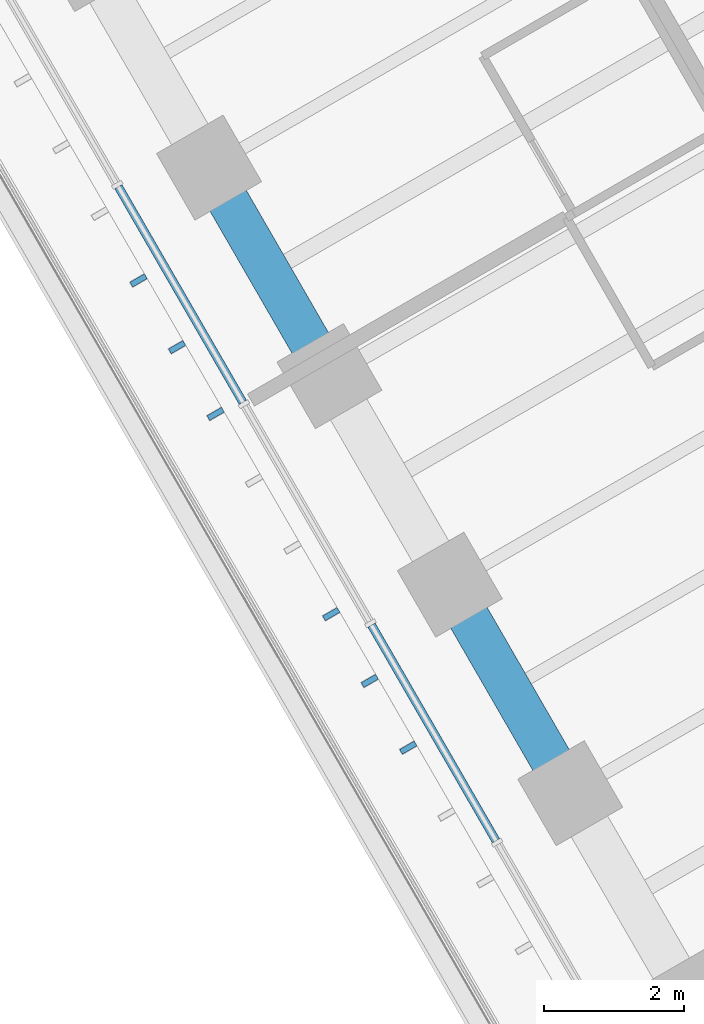
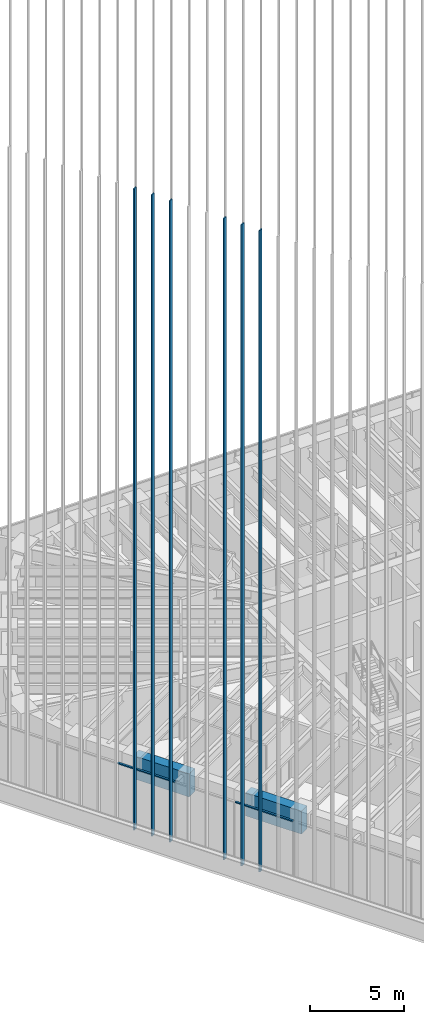
# One storey, part 21 of 127: 8 members, 2 beams, 1 element without a shape of its own.
"""IFC4 building model written with IfcOpenShell, lengths in metres."""

from ifc_helpers import new_model, si_unit, direction, frame, origin, origin_2d, place, context, subcontext, project, spatial, rectangle, extrude, material, material_profile, profile_set, type_object, element, aggregate, save


model = new_model("IFC4")

# Units and contexts
model_context = context("Model", 3, precision=1e-05, world=origin(), true_north=direction((0.0, 1.0)))
body_context = subcontext(model_context, "Body", "Model", "MODEL_VIEW")
ifc_project = project(units=[si_unit("LENGTHUNIT", "METRE"), si_unit("AREAUNIT", "SQUARE_METRE"), si_unit("VOLUMEUNIT", "CUBIC_METRE"), si_unit("PLANEANGLEUNIT", "RADIAN"), si_unit("MASSUNIT", "GRAM", prefix="KILO")], contexts=[model_context])

# Site, building, storey
site_placement = place(None, origin())
site = spatial("IfcSite", under=ifc_project, at=site_placement, CompositionType="ELEMENT")
building_placement = place(site_placement, origin())
building = spatial("IfcBuilding", under=site, at=building_placement, Name="Sandreach Pilgrim Tower", CompositionType="ELEMENT")
storey_placement = place(building_placement, frame((0.0, 0.0, 257.0)))
storey = spatial("IfcBuildingStorey", under=building, at=storey_placement, Name="L64", CompositionType="ELEMENT", Elevation=257.0)

# Curtain wall, members
ifc_material_1 = material(Name="Aluminium framed curtain wall", Category="aluminium")
curtain_wall_type = type_object("IfcCurtainWallType", Name="Suite tower curtain wall", PredefinedType="NOTDEFINED", material=ifc_material_1)
curtain_wall_placement = place(storey_placement, origin())
curtain_wall = element("IfcCurtainWall", 1, at=curtain_wall_placement, inside=storey, type_object=curtain_wall_type, Name="CW-4 L64 SW", PredefinedType="NOTDEFINED")
ifc_material_2 = material(Name="Aluminium extrusion", Category="aluminium")
ifc_material_profile_1 = material_profile(ifc_material_2, rectangle(XDim=0.1201171875, YDim=0.070068359375, at=origin_2d()), Name="CW-4T 120X70")
ifc_profile_set_1 = profile_set([ifc_material_profile_1], Name="Aluminium extrusion")
member_type_1 = type_object("IfcMemberType", Name="CW-4 transom", PredefinedType="USERDEFINED", material=ifc_profile_set_1)
member_1_placement = place(storey_placement, frame((-16.27978515625, -11.45556640625, 3.60498046875), z_axis=(-0.499957811549, 0.866049759928, 0.0), x_axis=(-0.866049759928, -0.499957811549, 0.0)))
member_1 = element("IfcMember", 2, at=member_1_placement, type_object=member_type_1, Name="CW-4 head transom 5", ObjectType="TRANSOM", PredefinedType="USERDEFINED", context=body_context, shape_type="SweptSolid", body=[
    extrude(rectangle(XDim=0.1201171875, YDim=0.070068359375, at=origin_2d()), origin(), (0.0, 0.0, 1.0), 3.561767578125),
])
member_2_placement = place(storey_placement, frame((-19.901611328125, -5.182373046875, 3.60498046875), z_axis=(-0.500009219579, 0.866020080793, 0.0), x_axis=(-0.866020080793, -0.500009219579, 0.0)))
member_2 = element("IfcMember", 3, at=member_2_placement, type_object=member_type_1, Name="CW-4 head transom 7", ObjectType="TRANSOM", PredefinedType="USERDEFINED", context=body_context, shape_type="SweptSolid", body=[
    extrude(rectangle(XDim=0.1201171875, YDim=0.070068359375, at=origin_2d()), origin(), (0.0, 0.0, 1.0), 3.56201171875),
])

# Beams
ifc_material_3 = material(Name="Concrete 10000 psi", Category="concrete")
ifc_material_profile_2 = material_profile(ifc_material_3, rectangle(XDim=0.60009765625, YDim=1.5, at=origin_2d()), Name="RC600X1500")
ifc_profile_set_2 = profile_set([ifc_material_profile_2], Name="Concrete 10000 psi")
beam_type = type_object("IfcBeamType", Name="Spandrel beam RC600X1500", PredefinedType="SPANDREL", material=ifc_profile_set_2)
beam_1_placement = place(storey_placement, frame((-15.2177734375, -10.77490234375, 2.889892578125), z_axis=(-0.499988291006, 0.866032163869, 0.0), x_axis=(-0.866032163869, -0.499988291006, 0.0)))
element("IfcBeam", 4, at=beam_1_placement, inside=storey, type_object=beam_type, Name="BM L64 SP30", PredefinedType="SPANDREL", context=body_context, shape_type="SweptSolid", body=[
    extrude(rectangle(XDim=0.60009765625, YDim=1.5, at=origin_2d()), origin(), (0.0, 0.0, 1.0), 3.44482421875),
])
beam_2_placement = place(storey_placement, frame((-18.662841796875, -4.80810546875, 2.889892578125), z_axis=(-0.499957605418, 0.866049878924, 0.0), x_axis=(-0.866049878924, -0.499957605418, 0.0)))
element("IfcBeam", 5, at=beam_2_placement, inside=storey, type_object=beam_type, Name="BM L64 SP32", PredefinedType="SPANDREL", context=body_context, shape_type="SweptSolid", body=[
    extrude(rectangle(XDim=0.60009765625, YDim=1.5, at=origin_2d()), origin(), (0.0, 0.0, 1.0), 3.445068359375),
])

# Member
ifc_material_4 = material(Name="Extruded terracotta on aluminium core", Category="masonry")
ifc_material_profile_3 = material_profile(ifc_material_4, rectangle(XDim=0.080078125, YDim=0.239990234375, at=origin_2d()), Name="TBW 80X240")
ifc_profile_set_3 = profile_set([ifc_material_profile_3], Name="Extruded terracotta on aluminium core")
member_type_2 = type_object("IfcMemberType", Name="Terracotta baguette west", PredefinedType="USERDEFINED", material=ifc_profile_set_3)
member_3_placement = place(storey_placement, frame((-17.533935546875, -10.123291015625, 0.0), z_axis=(0.0, 0.0, 1.0), x_axis=(-0.5, 0.866025403784, 0.0)))
member_3 = element("IfcMember", 6, at=member_3_placement, type_object=member_type_2, Name="Baguette Z4 SW15", ObjectType="BAGUETTE", PredefinedType="USERDEFINED", context=body_context, shape_type="SweptSolid", body=[
    extrude(rectangle(XDim=0.080078125, YDim=0.239990234375, at=origin_2d()), origin(), (0.0, 0.0, 1.0), 41.639892578125),
])

member_4_placement = place(storey_placement, frame((-18.085205078125, -9.168212890625, 0.0), z_axis=(0.0, 0.0, 1.0), x_axis=(-0.5, 0.866025403784, 0.0)))
member_4 = element("IfcMember", 7, at=member_4_placement, type_object=member_type_2, Name="Baguette Z4 SW16", ObjectType="BAGUETTE", PredefinedType="USERDEFINED", context=body_context, shape_type="SweptSolid", body=[
    extrude(rectangle(XDim=0.080078125, YDim=0.239990234375, at=origin_2d()), origin(), (0.0, 0.0, 1.0), 41.639892578125),
])

member_5_placement = place(storey_placement, frame((-18.63671875, -8.213134765625, 0.0), z_axis=(0.0, 0.0, 1.0), x_axis=(-0.5, 0.866025403784, 0.0)))
member_5 = element("IfcMember", 8, at=member_5_placement, type_object=member_type_2, Name="Baguette Z4 SW17", ObjectType="BAGUETTE", PredefinedType="USERDEFINED", context=body_context, shape_type="SweptSolid", body=[
    extrude(rectangle(XDim=0.080078125, YDim=0.239990234375, at=origin_2d()), origin(), (0.0, 0.0, 1.0), 41.639892578125),
])

member_6_placement = place(storey_placement, frame((-20.290771484375, -5.348388671875, 0.0), z_axis=(0.0, 0.0, 1.0), x_axis=(-0.5, 0.866025403784, 0.0)))
member_6 = element("IfcMember", 9, at=member_6_placement, type_object=member_type_2, Name="Baguette Z4 SW20", ObjectType="BAGUETTE", PredefinedType="USERDEFINED", context=body_context, shape_type="SweptSolid", body=[
    extrude(rectangle(XDim=0.080078125, YDim=0.239990234375, at=origin_2d()), origin(), (0.0, 0.0, 1.0), 41.639892578125),
])

member_7_placement = place(storey_placement, frame((-20.842041015625, -4.393310546875, 0.0), z_axis=(0.0, 0.0, 1.0), x_axis=(-0.5, 0.866025403784, 0.0)))
member_7 = element("IfcMember", 10, at=member_7_placement, type_object=member_type_2, Name="Baguette Z4 SW21", ObjectType="BAGUETTE", PredefinedType="USERDEFINED", context=body_context, shape_type="SweptSolid", body=[
    extrude(rectangle(XDim=0.080078125, YDim=0.239990234375, at=origin_2d()), origin(), (0.0, 0.0, 1.0), 41.639892578125),
])

member_8_placement = place(storey_placement, frame((-21.3935546875, -3.438232421875, 0.0), z_axis=(0.0, 0.0, 1.0), x_axis=(-0.5, 0.866025403784, 0.0)))
member_8 = element("IfcMember", 11, at=member_8_placement, type_object=member_type_2, Name="Baguette Z4 SW22", ObjectType="BAGUETTE", PredefinedType="USERDEFINED", context=body_context, shape_type="SweptSolid", body=[
    extrude(rectangle(XDim=0.080078125, YDim=0.239990234375, at=origin_2d()), origin(), (0.0, 0.0, 1.0), 41.639892578125),
])

aggregate(curtain_wall, [member_1, member_2, member_3, member_4, member_5, member_6, member_7, member_8])

save(model, "model.ifc")
